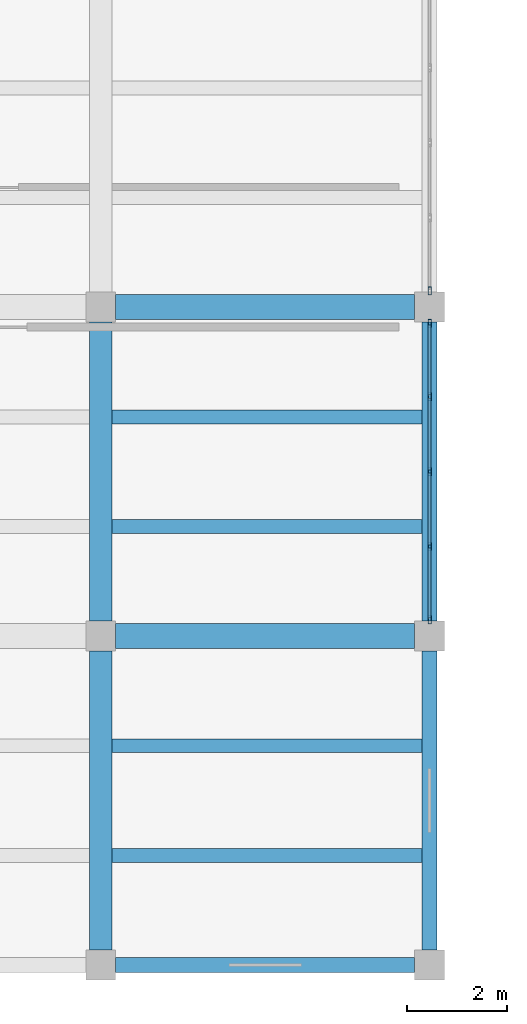
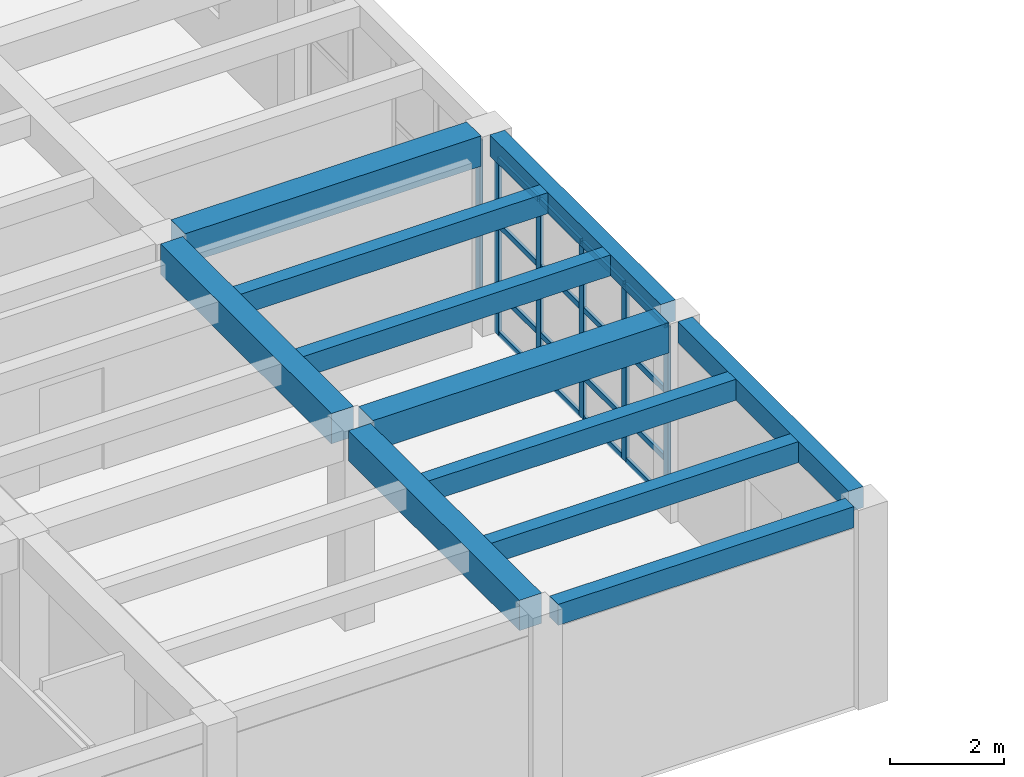
# One storey, part 10 of 67: 22 members, 11 beams, 2 elements without a shape of their own.
"""IFC4 building model written with IfcOpenShell, lengths in metres."""

from ifc_helpers import new_model, si_unit, direction, frame, origin, origin_2d, place, context, subcontext, project, spatial, rectangle, hollow_rectangle, extrude, material, layer, layer_set, material_profile, profile_set, type_object, element, aggregate, save


model = new_model("IFC4")

# Units and contexts
model_context = context("Model", 3, precision=1e-05, world=origin(), true_north=direction((0.0, 1.0)))
body_context = subcontext(model_context, "Body", "Model", "MODEL_VIEW")
ifc_project = project(units=[si_unit("LENGTHUNIT", "METRE"), si_unit("AREAUNIT", "SQUARE_METRE"), si_unit("VOLUMEUNIT", "CUBIC_METRE"), si_unit("PLANEANGLEUNIT", "RADIAN"), si_unit("MASSUNIT", "GRAM", prefix="KILO")], contexts=[model_context])

# Site, building, storey
site_placement = place(None, origin())
site = spatial("IfcSite", under=ifc_project, at=site_placement, CompositionType="ELEMENT")
building_placement = place(site_placement, origin())
building = spatial("IfcBuilding", under=site, at=building_placement, Name="Kharisveld Research Institute", CompositionType="ELEMENT")
storey_placement = place(building_placement, frame((0.0, 0.0, 9.60009765625)))
storey = spatial("IfcBuildingStorey", under=building, at=storey_placement, Name="L02", CompositionType="ELEMENT", Elevation=9.60009765625)

# Beams
ifc_material_1 = material(Name="Concrete C40/50", Category="concrete")
ifc_material_profile_1 = material_profile(ifc_material_1, rectangle(XDim=0.449951171875, YDim=0.64990234375, at=origin_2d()))
ifc_profile_set_1 = profile_set([ifc_material_profile_1], Name="Concrete C40/50")
beam_type_1 = type_object("IfcBeamType", Name="BM_RC_450x650", PredefinedType="BEAM", material=ifc_profile_set_1)
for number, where, z_axis, x_axis, name in (
    (1, (33.60009765625, 0.5, 3.954833984375), (0.0, 1.0, 0.0), (-1.0, 0.0, 0.0), "BM:V3:L02:V5_0"),
    (2, (33.60009765625, 7.10009765625, 3.954833984375), (0.0, 1.0, 0.0), (-1.0, 0.0, 0.0), "BM:V3:L02:V5_1"),
):
    element("IfcBeam", number, at=place(storey_placement, frame(where, z_axis=z_axis, x_axis=x_axis)), inside=storey, type_object=beam_type_1, Name=name, PredefinedType="BEAM", context=body_context, shape_type="SweptSolid", body=[
        extrude(rectangle(XDim=0.449951171875, YDim=0.64990234375, at=origin_2d()), origin(), (0.0, 0.0, 1.0), 6.0),
    ])
ifc_material_2 = material(Name="Concrete C40/50", Category="concrete")
ifc_material_profile_2 = material_profile(ifc_material_2, rectangle(XDim=0.5, YDim=0.64990234375, at=origin_2d()))
ifc_profile_set_2 = profile_set([ifc_material_profile_2], Name="Concrete C40/50")
beam_type_2 = type_object("IfcBeamType", Name="BM_RC_500x650", PredefinedType="BEAM", material=ifc_profile_set_2)
for number, where, z_axis, x_axis, name in (
    (3, (33.89990234375, 6.800048828125, 3.954833984375), (1.0, 0.0, 0.0), (0.0, 1.0, 0.0), "BM:V3:L02:U5_1"),
    (4, (33.89990234375, 13.39990234375, 3.954833984375), (1.0, 0.0, 0.0), (0.0, 1.0, 0.0), "BM:V3:L02:U5_2"),
):
    element("IfcBeam", number, at=place(storey_placement, frame(where, z_axis=z_axis, x_axis=x_axis)), inside=storey, type_object=beam_type_2, Name=name, PredefinedType="BEAM", context=body_context, shape_type="SweptSolid", body=[
        extrude(rectangle(XDim=0.5, YDim=0.64990234375, at=origin_2d()), origin(), (0.0, 0.0, 1.0), 6.0),
    ])

# Curtain wall, member
ifc_material_3 = material(Name="Thermally Broken Aluminium Curtain Wall", Category="aluminium")
ifc_layer_1 = layer(ifc_material_3, 0.159912109375)
ifc_layer_set_1 = layer_set([ifc_layer_1], Name="CW_SYS_03")
curtain_wall_type_1 = type_object("IfcCurtainWallType", Name="CW_SYS_03", PredefinedType="NOTDEFINED", material=ifc_layer_set_1)
curtain_wall_1_placement = place(storey_placement, origin())
curtain_wall_1 = element("IfcCurtainWall", 5, at=curtain_wall_1_placement, inside=storey, type_object=curtain_wall_type_1, Name="CW:V3:L02:E3", PredefinedType="NOTDEFINED")
ifc_material_4 = material(Name="Anodised Aluminium AW-6063-T6", Category="aluminium")
ifc_material_profile_3 = material_profile(ifc_material_4, hollow_rectangle(XDim=0.06494140625, YDim=0.159912109375, WallThickness=0.00390625, at=origin_2d()))
ifc_profile_set_3 = profile_set([ifc_material_profile_3], Name="Anodised Aluminium AW-6063-T6")
member_type_1 = type_object("IfcMemberType", Name="CW_MUL_160", PredefinedType="MULLION", material=ifc_profile_set_3)
member_1_placement = place(storey_placement, frame((40.199951171875, 13.7275390625, 0.0), z_axis=(0.0, 0.0, 1.0), x_axis=(1.0, 0.0, 0.0)))
member_1 = element("IfcMember", 6, at=member_1_placement, type_object=member_type_1, Name="CW-03 mullion 5", PredefinedType="MULLION", context=body_context, shape_type="SweptSolid", body=[
    extrude(hollow_rectangle(XDim=0.06494140625, YDim=0.159912109375, WallThickness=0.00390625, at=origin_2d()), origin(), (0.0, 0.0, 1.0), 3.77978515625),
])
aggregate(curtain_wall_1, [member_1])

# Curtain wall, members
ifc_material_5 = material(Name="Thermally Broken Aluminium Curtain Wall", Category="aluminium")
ifc_layer_2 = layer(ifc_material_5, 0.159912109375)
ifc_layer_set_2 = layer_set([ifc_layer_2], Name="CW_SYS_04")
curtain_wall_type_2 = type_object("IfcCurtainWallType", Name="CW_SYS_04", PredefinedType="NOTDEFINED", material=ifc_layer_set_2)
curtain_wall_2_placement = place(storey_placement, origin())
curtain_wall_2 = element("IfcCurtainWall", 7, at=curtain_wall_2_placement, inside=storey, type_object=curtain_wall_type_2, Name="CW:V3:L02:E2", PredefinedType="NOTDEFINED")
member_2_placement = place(storey_placement, frame((40.199951171875, 13.072509765625, 0.0), z_axis=(0.0, 0.0, 1.0), x_axis=(1.0, 0.0, 0.0)))
member_2 = element("IfcMember", 8, at=member_2_placement, type_object=member_type_1, Name="CW-04 mullion 1", PredefinedType="MULLION", context=body_context, shape_type="SweptSolid", body=[
    extrude(hollow_rectangle(XDim=0.06494140625, YDim=0.159912109375, WallThickness=0.00390625, at=origin_2d()), origin(), (0.0, 0.0, 1.0), 3.77978515625),
])
member_3_placement = place(storey_placement, frame((40.199951171875, 11.6025390625, 0.0), z_axis=(0.0, 0.0, 1.0), x_axis=(1.0, 0.0, 0.0)))
member_3 = element("IfcMember", 9, at=member_3_placement, type_object=member_type_1, Name="CW-04 mullion 2", PredefinedType="MULLION", context=body_context, shape_type="SweptSolid", body=[
    extrude(hollow_rectangle(XDim=0.06494140625, YDim=0.159912109375, WallThickness=0.00390625, at=origin_2d()), origin(), (0.0, 0.0, 1.0), 3.77978515625),
])
member_4_placement = place(storey_placement, frame((40.199951171875, 10.10009765625, 0.0), z_axis=(0.0, 0.0, 1.0), x_axis=(1.0, 0.0, 0.0)))
member_4 = element("IfcMember", 10, at=member_4_placement, type_object=member_type_1, Name="CW-04 mullion 3", PredefinedType="MULLION", context=body_context, shape_type="SweptSolid", body=[
    extrude(hollow_rectangle(XDim=0.06494140625, YDim=0.159912109375, WallThickness=0.00390625, at=origin_2d()), origin(), (0.0, 0.0, 1.0), 3.77978515625),
])
member_5_placement = place(storey_placement, frame((40.199951171875, 8.597412109375, 0.0), z_axis=(0.0, 0.0, 1.0), x_axis=(1.0, 0.0, 0.0)))
member_5 = element("IfcMember", 11, at=member_5_placement, type_object=member_type_1, Name="CW-04 mullion 4", PredefinedType="MULLION", context=body_context, shape_type="SweptSolid", body=[
    extrude(hollow_rectangle(XDim=0.06494140625, YDim=0.159912109375, WallThickness=0.00390625, at=origin_2d()), origin(), (0.0, 0.0, 1.0), 3.77978515625),
])
member_6_placement = place(storey_placement, frame((40.199951171875, 7.12744140625, 0.0), z_axis=(0.0, 0.0, 1.0), x_axis=(1.0, 0.0, 0.0)))
member_6 = element("IfcMember", 12, at=member_6_placement, type_object=member_type_1, Name="CW-04 mullion 5", PredefinedType="MULLION", context=body_context, shape_type="SweptSolid", body=[
    extrude(hollow_rectangle(XDim=0.06494140625, YDim=0.159912109375, WallThickness=0.00390625, at=origin_2d()), origin(), (0.0, 0.0, 1.0), 3.77978515625),
])
ifc_material_6 = material(Name="Anodised Aluminium AW-6063-T6", Category="aluminium")
ifc_material_profile_4 = material_profile(ifc_material_6, hollow_rectangle(XDim=0.06005859375, YDim=0.1201171875, WallThickness=0.00390625, at=origin_2d()))
ifc_profile_set_4 = profile_set([ifc_material_profile_4], Name="Anodised Aluminium AW-6063-T6")
member_type_2 = type_object("IfcMemberType", Name="CW_TRN_120", PredefinedType="USERDEFINED", material=ifc_profile_set_4)
member_7_placement = place(storey_placement, frame((40.199951171875, 13.0400390625, 0.02978515625), z_axis=(0.0, -1.0, 0.0), x_axis=(1.0, 0.0, 0.0)))
member_7 = element("IfcMember", 13, at=member_7_placement, type_object=member_type_2, Name="CW-04 transom 1.1", ObjectType="TRANSOM", PredefinedType="USERDEFINED", context=body_context, shape_type="SweptSolid", body=[
    extrude(hollow_rectangle(XDim=0.06005859375, YDim=0.1201171875, WallThickness=0.00390625, at=origin_2d()), origin(), (0.0, 0.0, 1.0), 1.405029296875),
])
member_8_placement = place(storey_placement, frame((40.199951171875, 13.0400390625, 0.89990234375), z_axis=(0.0, -1.0, 0.0), x_axis=(1.0, 0.0, 0.0)))
member_8 = element("IfcMember", 14, at=member_8_placement, type_object=member_type_2, Name="CW-04 transom 1.2", ObjectType="TRANSOM", PredefinedType="USERDEFINED", context=body_context, shape_type="SweptSolid", body=[
    extrude(hollow_rectangle(XDim=0.06005859375, YDim=0.1201171875, WallThickness=0.00390625, at=origin_2d()), origin(), (0.0, 0.0, 1.0), 1.405029296875),
])
member_9_placement = place(storey_placement, frame((40.199951171875, 13.0400390625, 2.349853515625), z_axis=(0.0, -1.0, 0.0), x_axis=(1.0, 0.0, 0.0)))
member_9 = element("IfcMember", 15, at=member_9_placement, type_object=member_type_2, Name="CW-04 transom 1.3", ObjectType="TRANSOM", PredefinedType="USERDEFINED", context=body_context, shape_type="SweptSolid", body=[
    extrude(hollow_rectangle(XDim=0.06005859375, YDim=0.1201171875, WallThickness=0.00390625, at=origin_2d()), origin(), (0.0, 0.0, 1.0), 1.405029296875),
])
member_10_placement = place(storey_placement, frame((40.199951171875, 13.0400390625, 3.75), z_axis=(0.0, -1.0, 0.0), x_axis=(1.0, 0.0, 0.0)))
member_10 = element("IfcMember", 16, at=member_10_placement, type_object=member_type_2, Name="CW-04 transom 1.4", ObjectType="TRANSOM", PredefinedType="USERDEFINED", context=body_context, shape_type="SweptSolid", body=[
    extrude(hollow_rectangle(XDim=0.06005859375, YDim=0.1201171875, WallThickness=0.00390625, at=origin_2d()), origin(), (0.0, 0.0, 1.0), 1.405029296875),
])
member_11_placement = place(storey_placement, frame((40.199951171875, 11.570068359375, 0.02978515625), z_axis=(0.0, -1.0, 0.0), x_axis=(1.0, 0.0, 0.0)))
member_11 = element("IfcMember", 17, at=member_11_placement, type_object=member_type_2, Name="CW-04 transom 2.1", ObjectType="TRANSOM", PredefinedType="USERDEFINED", context=body_context, shape_type="SweptSolid", body=[
    extrude(hollow_rectangle(XDim=0.06005859375, YDim=0.1201171875, WallThickness=0.00390625, at=origin_2d()), origin(), (0.0, 0.0, 1.0), 1.4375),
])
member_12_placement = place(storey_placement, frame((40.199951171875, 11.570068359375, 0.89990234375), z_axis=(0.0, -1.0, 0.0), x_axis=(1.0, 0.0, 0.0)))
member_12 = element("IfcMember", 18, at=member_12_placement, type_object=member_type_2, Name="CW-04 transom 2.2", ObjectType="TRANSOM", PredefinedType="USERDEFINED", context=body_context, shape_type="SweptSolid", body=[
    extrude(hollow_rectangle(XDim=0.06005859375, YDim=0.1201171875, WallThickness=0.00390625, at=origin_2d()), origin(), (0.0, 0.0, 1.0), 1.4375),
])
member_13_placement = place(storey_placement, frame((40.199951171875, 11.570068359375, 2.349853515625), z_axis=(0.0, -1.0, 0.0), x_axis=(1.0, 0.0, 0.0)))
member_13 = element("IfcMember", 19, at=member_13_placement, type_object=member_type_2, Name="CW-04 transom 2.3", ObjectType="TRANSOM", PredefinedType="USERDEFINED", context=body_context, shape_type="SweptSolid", body=[
    extrude(hollow_rectangle(XDim=0.06005859375, YDim=0.1201171875, WallThickness=0.00390625, at=origin_2d()), origin(), (0.0, 0.0, 1.0), 1.4375),
])
member_14_placement = place(storey_placement, frame((40.199951171875, 11.570068359375, 3.75), z_axis=(0.0, -1.0, 0.0), x_axis=(1.0, 0.0, 0.0)))
member_14 = element("IfcMember", 20, at=member_14_placement, type_object=member_type_2, Name="CW-04 transom 2.4", ObjectType="TRANSOM", PredefinedType="USERDEFINED", context=body_context, shape_type="SweptSolid", body=[
    extrude(hollow_rectangle(XDim=0.06005859375, YDim=0.1201171875, WallThickness=0.00390625, at=origin_2d()), origin(), (0.0, 0.0, 1.0), 1.4375),
])
member_15_placement = place(storey_placement, frame((40.199951171875, 10.0673828125, 0.02978515625), z_axis=(0.0, -1.0, 0.0), x_axis=(1.0, 0.0, 0.0)))
member_15 = element("IfcMember", 21, at=member_15_placement, type_object=member_type_2, Name="CW-04 transom 3.1", ObjectType="TRANSOM", PredefinedType="USERDEFINED", context=body_context, shape_type="SweptSolid", body=[
    extrude(hollow_rectangle(XDim=0.06005859375, YDim=0.1201171875, WallThickness=0.00390625, at=origin_2d()), origin(), (0.0, 0.0, 1.0), 1.4375),
])
member_16_placement = place(storey_placement, frame((40.199951171875, 10.0673828125, 0.89990234375), z_axis=(0.0, -1.0, 0.0), x_axis=(1.0, 0.0, 0.0)))
member_16 = element("IfcMember", 22, at=member_16_placement, type_object=member_type_2, Name="CW-04 transom 3.2", ObjectType="TRANSOM", PredefinedType="USERDEFINED", context=body_context, shape_type="SweptSolid", body=[
    extrude(hollow_rectangle(XDim=0.06005859375, YDim=0.1201171875, WallThickness=0.00390625, at=origin_2d()), origin(), (0.0, 0.0, 1.0), 1.4375),
])
member_17_placement = place(storey_placement, frame((40.199951171875, 10.0673828125, 2.349853515625), z_axis=(0.0, -1.0, 0.0), x_axis=(1.0, 0.0, 0.0)))
member_17 = element("IfcMember", 23, at=member_17_placement, type_object=member_type_2, Name="CW-04 transom 3.3", ObjectType="TRANSOM", PredefinedType="USERDEFINED", context=body_context, shape_type="SweptSolid", body=[
    extrude(hollow_rectangle(XDim=0.06005859375, YDim=0.1201171875, WallThickness=0.00390625, at=origin_2d()), origin(), (0.0, 0.0, 1.0), 1.4375),
])
member_18_placement = place(storey_placement, frame((40.199951171875, 10.0673828125, 3.75), z_axis=(0.0, -1.0, 0.0), x_axis=(1.0, 0.0, 0.0)))
member_18 = element("IfcMember", 24, at=member_18_placement, type_object=member_type_2, Name="CW-04 transom 3.4", ObjectType="TRANSOM", PredefinedType="USERDEFINED", context=body_context, shape_type="SweptSolid", body=[
    extrude(hollow_rectangle(XDim=0.06005859375, YDim=0.1201171875, WallThickness=0.00390625, at=origin_2d()), origin(), (0.0, 0.0, 1.0), 1.4375),
])
member_19_placement = place(storey_placement, frame((40.199951171875, 8.56494140625, 0.02978515625), z_axis=(0.0, -1.0, 0.0), x_axis=(1.0, 0.0, 0.0)))
member_19 = element("IfcMember", 25, at=member_19_placement, type_object=member_type_2, Name="CW-04 transom 4.1", ObjectType="TRANSOM", PredefinedType="USERDEFINED", context=body_context, shape_type="SweptSolid", body=[
    extrude(hollow_rectangle(XDim=0.06005859375, YDim=0.1201171875, WallThickness=0.00390625, at=origin_2d()), origin(), (0.0, 0.0, 1.0), 1.405029296875),
])
member_20_placement = place(storey_placement, frame((40.199951171875, 8.56494140625, 0.89990234375), z_axis=(0.0, -1.0, 0.0), x_axis=(1.0, 0.0, 0.0)))
member_20 = element("IfcMember", 26, at=member_20_placement, type_object=member_type_2, Name="CW-04 transom 4.2", ObjectType="TRANSOM", PredefinedType="USERDEFINED", context=body_context, shape_type="SweptSolid", body=[
    extrude(hollow_rectangle(XDim=0.06005859375, YDim=0.1201171875, WallThickness=0.00390625, at=origin_2d()), origin(), (0.0, 0.0, 1.0), 1.405029296875),
])
member_21_placement = place(storey_placement, frame((40.199951171875, 8.56494140625, 2.349853515625), z_axis=(0.0, -1.0, 0.0), x_axis=(1.0, 0.0, 0.0)))
member_21 = element("IfcMember", 27, at=member_21_placement, type_object=member_type_2, Name="CW-04 transom 4.3", ObjectType="TRANSOM", PredefinedType="USERDEFINED", context=body_context, shape_type="SweptSolid", body=[
    extrude(hollow_rectangle(XDim=0.06005859375, YDim=0.1201171875, WallThickness=0.00390625, at=origin_2d()), origin(), (0.0, 0.0, 1.0), 1.405029296875),
])
member_22_placement = place(storey_placement, frame((40.199951171875, 8.56494140625, 3.75), z_axis=(0.0, -1.0, 0.0), x_axis=(1.0, 0.0, 0.0)))
member_22 = element("IfcMember", 28, at=member_22_placement, type_object=member_type_2, Name="CW-04 transom 4.4", ObjectType="TRANSOM", PredefinedType="USERDEFINED", context=body_context, shape_type="SweptSolid", body=[
    extrude(hollow_rectangle(XDim=0.06005859375, YDim=0.1201171875, WallThickness=0.00390625, at=origin_2d()), origin(), (0.0, 0.0, 1.0), 1.405029296875),
])
aggregate(curtain_wall_2, [member_2, member_3, member_4, member_5, member_6, member_7, member_8, member_9, member_10, member_11, member_12, member_13, member_14, member_15, member_16, member_17, member_18, member_19, member_20, member_21, member_22])

# Beams
ifc_material_7 = material(Name="Concrete C40/50", Category="concrete")
ifc_material_profile_5 = material_profile(ifc_material_7, rectangle(XDim=0.300048828125, YDim=0.449951171875, at=origin_2d()))
ifc_profile_set_5 = profile_set([ifc_material_profile_5], Name="Concrete C40/50")
beam_type_3 = type_object("IfcBeamType", Name="SP_RC_300x450", PredefinedType="SPANDREL", material=ifc_profile_set_5)
for number, where, z_axis, x_axis, name in (
    (29, (33.89990234375, 0.199951171875, 4.054931640625), (1.0, 0.0, 0.0), (0.0, 1.0, 0.0), "BM:V3:L02:U5_0"),
    (30, (40.199951171875, 0.5, 4.054931640625), (0.0, 1.0, 0.0), (-1.0, 0.0, 0.0), "BM:V3:L02:V6_0"),
    (31, (40.199951171875, 7.10009765625, 4.054931640625), (0.0, 1.0, 0.0), (-1.0, 0.0, 0.0), "BM:V3:L02:V6_1"),
):
    element("IfcBeam", number, at=place(storey_placement, frame(where, z_axis=z_axis, x_axis=x_axis)), inside=storey, type_object=beam_type_3, Name=name, PredefinedType="SPANDREL", context=body_context, shape_type="SweptSolid", body=[
        extrude(rectangle(XDim=0.300048828125, YDim=0.449951171875, at=origin_2d()), origin(), (0.0, 0.0, 1.0), 6.0),
    ])
ifc_material_8 = material(Name="Concrete C40/50", Category="concrete")
ifc_material_profile_6 = material_profile(ifc_material_8, rectangle(XDim=0.280029296875, YDim=0.449951171875, at=origin_2d()))
ifc_profile_set_6 = profile_set([ifc_material_profile_6], Name="Concrete C40/50")
beam_type_4 = type_object("IfcBeamType", Name="WB_RC_280x450", PredefinedType="JOIST", material=ifc_profile_set_6)
for number, where, z_axis, x_axis, name in (
    (32, (33.824951171875, 2.39990234375, 4.054931640625), (1.0, 0.0, 0.0), (0.0, 1.0, 0.0), "BM:V3:L02:J_5_0_R1"),
    (33, (33.824951171875, 4.60009765625, 4.054931640625), (1.0, 0.0, 0.0), (0.0, 1.0, 0.0), "BM:V3:L02:J_5_0_R2"),
    (34, (33.824951171875, 9.0, 4.054931640625), (1.0, 0.0, 0.0), (0.0, 1.0, 0.0), "BM:V3:L02:J_5_1_R1"),
    (35, (33.824951171875, 11.199951171875, 4.054931640625), (1.0, 0.0, 0.0), (0.0, 1.0, 0.0), "BM:V3:L02:J_5_1_R2"),
):
    element("IfcBeam", number, at=place(storey_placement, frame(where, z_axis=z_axis, x_axis=x_axis)), inside=storey, type_object=beam_type_4, Name=name, PredefinedType="JOIST", context=body_context, shape_type="SweptSolid", body=[
        extrude(rectangle(XDim=0.280029296875, YDim=0.449951171875, at=origin_2d()), origin(), (0.0, 0.0, 1.0), 6.22509765625),
    ])

save(model, "model.ifc")
